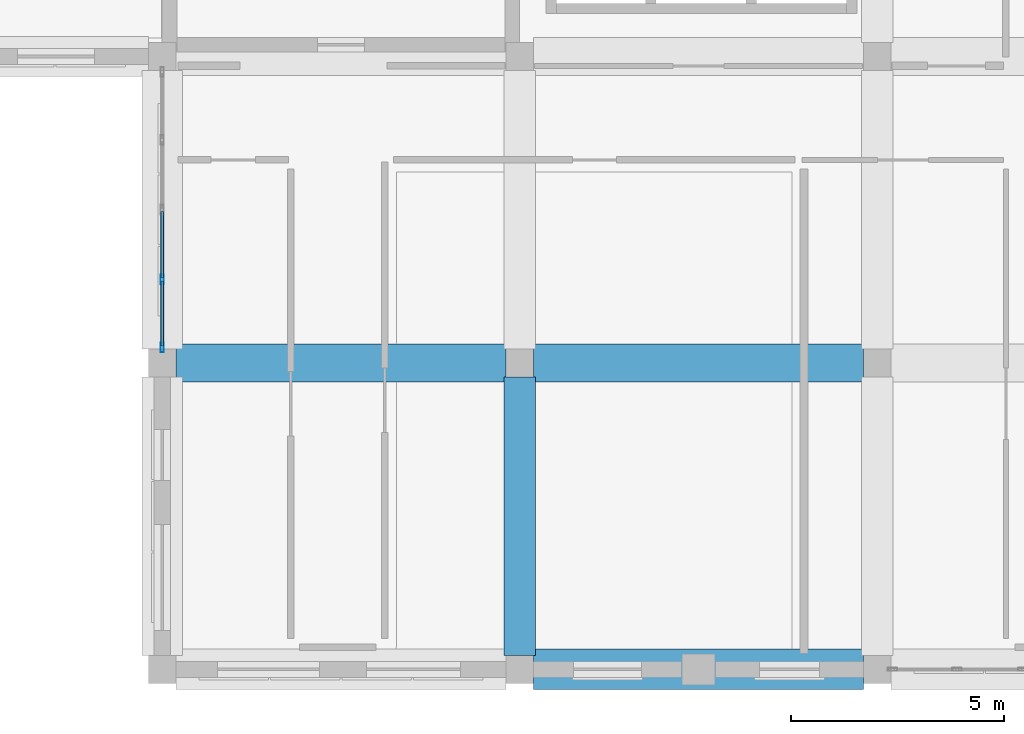
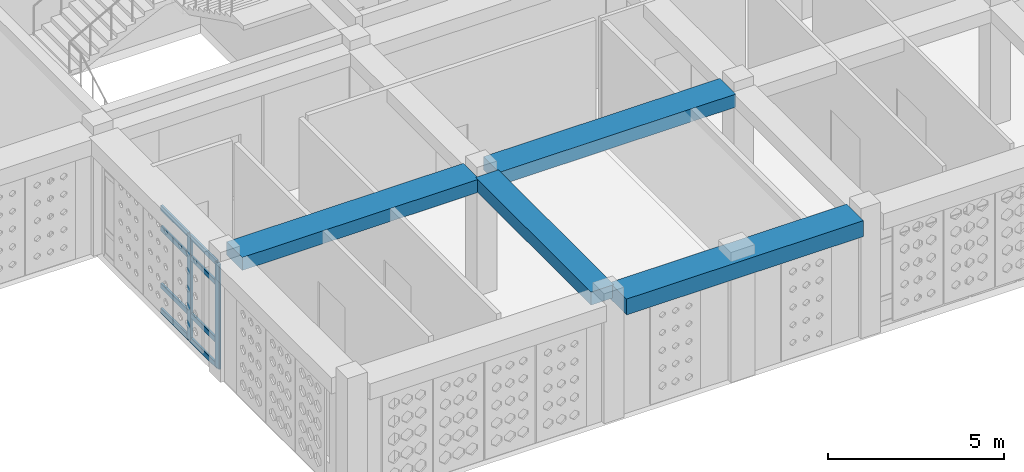
# One storey, part 2 of 79: 10 members, 4 beams, 1 element without a shape of its own.
"""IFC4 building model written with IfcOpenShell, lengths in metres."""

import ifcopenshell
import ifcopenshell.guid

model = None  # the IFC model being written
_history = None  # IfcOwnerHistory: only IFC2X3 demands one
_inside = {}  # id of a spatial element -> (the spatial element, [elements in it])
_under = {}  # id of a project, library or spatial element -> (it, [spatial elements below it])
_declared = {}  # id of a project -> (the project, [libraries it declares])
_typed = {}  # id of a type object -> (the type object, [elements of that type])
_made_of = {}  # id of a material, layer set ... -> (it, [elements and type objects made of it])


def new_model(schema):
    """Start an empty IFC model of exactly this schema.

    Asked for "IFC4X3", IfcOpenShell would pick the latest addendum, in which some entities
    have other attributes; the version numbers below select the first issue.
    IFC2X3 requires an IfcOwnerHistory on every rooted entity: one is made here for all.
    """
    global model, _history
    if schema == "IFC4X3":
        model = ifcopenshell.file(schema_version=(4, 3, 0, 0))
    else:
        model = ifcopenshell.file(schema=schema)
    _inside.clear()
    _under.clear()
    _declared.clear()
    _typed.clear()
    _made_of.clear()
    _history = None
    if model.schema == "IFC2X3":
        org = make("IfcOrganization", Name="unknown")
        user = make(
            "IfcPersonAndOrganization",
            ThePerson=make("IfcPerson", FamilyName="unknown"),
            TheOrganization=org,
        )
        app = make(
            "IfcApplication",
            ApplicationDeveloper=org,
            Version="unknown",
            ApplicationFullName="unknown",
            ApplicationIdentifier="unknown",
        )
        _history = make(
            "IfcOwnerHistory",
            OwningUser=user,
            OwningApplication=app,
            ChangeAction="ADDED",
            CreationDate=0,
        )
    return model


def make(cls, **values):
    """One entity of the class cls with the attributes given. An attribute that is None is left unset."""
    return model.create_entity(
        cls, **{name: value for name, value in values.items() if value is not None}
    )


def rooted(cls, **values):
    """An entity with a GlobalId (a new one), such as an element, a storey or a relation."""
    return make(cls, GlobalId=ifcopenshell.guid.new(), OwnerHistory=_history, **values)


def si_unit(unit_type, name, prefix=None):
    """IfcSIUnit, for example si_unit("LENGTHUNIT", "METRE", prefix="MILLI")."""
    return make("IfcSIUnit", UnitType=unit_type, Prefix=prefix, Name=name)


def derived_unit(unit_type, elements):
    """IfcDerivedUnit: a product of units, each with its exponent."""
    return make(
        "IfcDerivedUnit",
        Elements=[
            make("IfcDerivedUnitElement", Unit=unit, Exponent=power)
            for unit, power in elements
        ],
        UnitType=unit_type,
    )


def assignment(units):
    """IfcUnitAssignment: the units of a project."""
    return None if units is None else make("IfcUnitAssignment", Units=units)


def point(xyz):
    """IfcCartesianPoint."""
    return None if xyz is None else make("IfcCartesianPoint", Coordinates=xyz)


def direction(xyz):
    """IfcDirection."""
    return None if xyz is None else make("IfcDirection", DirectionRatios=xyz)


def frame(location, z_axis=None, x_axis=None):
    """IfcAxis2Placement3D, a coordinate frame: its origin and axes. An axis left out is left unset."""
    return make(
        "IfcAxis2Placement3D",
        Location=point(location),
        Axis=direction(z_axis),
        RefDirection=direction(x_axis),
    )


def frame_2d(location, x_axis=None):
    """IfcAxis2Placement2D, a coordinate frame in the plane: its origin and x axis."""
    return make(
        "IfcAxis2Placement2D", Location=point(location), RefDirection=direction(x_axis)
    )


def origin():
    """The frame at (0, 0, 0) with its axes left unset."""
    return frame((0.0, 0.0, 0.0))


def origin_2d():
    """The frame at (0, 0) in the plane with its x axis left unset."""
    return frame_2d((0.0, 0.0))


def place(relative_to, where):
    """IfcLocalPlacement: puts the frame where relative to a parent placement (None: the world)."""
    return make(
        "IfcLocalPlacement", PlacementRelTo=relative_to, RelativePlacement=where
    )


def context(
    kind, dimensions, precision=None, world=None, true_north=None, identifier=None
):
    """IfcGeometricRepresentationContext, for example the 3D "Model" context."""
    return make(
        "IfcGeometricRepresentationContext",
        ContextIdentifier=identifier,
        ContextType=kind,
        CoordinateSpaceDimension=dimensions,
        Precision=precision,
        WorldCoordinateSystem=world,
        TrueNorth=true_north,
    )


def subcontext(parent, identifier, kind, view, scale=None):
    """IfcGeometricRepresentationSubContext, for example "Body" below "Model"."""
    return make(
        "IfcGeometricRepresentationSubContext",
        ContextIdentifier=identifier,
        ContextType=kind,
        ParentContext=parent,
        TargetScale=scale,
        TargetView=view,
    )


def project(units=None, contexts=None):
    """IfcProject with its units and contexts."""
    return rooted(
        "IfcProject",
        Name="project",
        RepresentationContexts=contexts,
        UnitsInContext=assignment(units),
    )


def spatial(cls, under=None, at=None, **own):
    """A site, building, storey or space (cls), placed at a placement, below another one or the project."""
    s = rooted(cls, ObjectPlacement=at, **own)
    if under is not None:
        _under.setdefault(under.id(), (under, []))[1].append(s)
    return s


def profile(cls, at=None, kind="AREA", **sizes):
    """A parametric profile (cls). Its sizes go by their IFC names, for example OverallWidth=200.0."""
    return make(cls, ProfileType=kind, Position=at, **sizes)


def rectangle(**sizes):
    """IfcRectangleProfileDef."""
    return profile("IfcRectangleProfileDef", **sizes)


def hollow_rectangle(**sizes):
    """IfcRectangleHollowProfileDef."""
    return profile("IfcRectangleHollowProfileDef", **sizes)


def extrude(swept, where, along, depth):
    """IfcExtrudedAreaSolid: the profile swept, set in the frame where, extruded along a direction by depth."""
    return make(
        "IfcExtrudedAreaSolid",
        SweptArea=swept,
        Position=where,
        ExtrudedDirection=direction(along),
        Depth=depth,
    )


def shape(context_of_items, identifier, shape_type, items):
    """IfcShapeRepresentation: the items that make up one representation, for example the "Body"."""
    return make(
        "IfcShapeRepresentation",
        ContextOfItems=context_of_items,
        RepresentationIdentifier=identifier,
        RepresentationType=shape_type,
        Items=items,
    )


def material(Name=None, Category=None):
    """IfcMaterial."""
    return make("IfcMaterial", Name=Name, Category=Category)


def material_profile(
    of_material, cross_section, Name=None, Category=None, Priority=None
):
    """IfcMaterialProfile: a cross section and its material."""
    return make(
        "IfcMaterialProfile",
        Name=Name,
        Material=of_material,
        Profile=cross_section,
        Priority=Priority,
        Category=Category,
    )


def profile_set(profiles, Name=None, composite=None):
    """IfcMaterialProfileSet."""
    return make(
        "IfcMaterialProfileSet",
        Name=Name,
        MaterialProfiles=profiles,
        CompositeProfile=composite,
    )


def made_of(thing, what):
    """Note that an element or type object is made of a material, layer set ...; save() writes the relation."""
    if what is not None:
        _made_of.setdefault(what.id(), (what, []))[1].append(thing)
    return thing


def type_object(cls, material=None, **own):
    """A type object (cls), such as IfcWallType, which elements share."""
    return made_of(rooted(cls, **own), material)


def element(
    cls,
    number,
    at=None,
    inside=None,
    cuts=None,
    type_object=None,
    material=None,
    context=None,
    identifier="Body",
    shape_type=None,
    held_by="IfcProductDefinitionShape",
    body=None,
    shapes=None,
    **own,
):
    """One element of the class cls, such as IfcWall. Its Tag is "e" and its number.

    at: its placement. inside: the storey or other place that contains it. cuts: it is an
    opening in that element (IfcRelVoidsElement). A single representation is given by context,
    identifier, shape_type and body (its items); several are given by shapes. held_by: the class
    of the entity that holds the representations. save() writes the other relations.
    """
    e = rooted(cls, Tag="e%d" % number, ObjectPlacement=at, **own)
    if body is not None:
        shapes = [shape(context, identifier, shape_type, body)]
    if shapes is not None:
        e.Representation = make(held_by, Representations=shapes)
    if inside is not None:
        _inside.setdefault(inside.id(), (inside, []))[1].append(e)
    if cuts is not None:
        rooted(
            "IfcRelVoidsElement", RelatingBuildingElement=cuts, RelatedOpeningElement=e
        )
    if type_object is not None:
        _typed.setdefault(type_object.id(), (type_object, []))[1].append(e)
    return made_of(e, material)


def aggregate(whole, parts):
    """IfcRelAggregates: a whole, such as a stair, and the parts it consists of."""
    return rooted("IfcRelAggregates", RelatingObject=whole, RelatedObjects=parts)


def save(model, path):
    """Write the relations noted so far, then the file.

    IfcRelAggregates (storeys below a building ...), IfcRelContainedInSpatialStructure (elements
    in a storey), IfcRelDefinesByType, IfcRelAssociatesMaterial and IfcRelDeclares: one each for
    every whole, place, type object, material and project.
    """
    for whole, parts in _under.values():
        aggregate(whole, parts)
    for where, things in _inside.values():
        rooted(
            "IfcRelContainedInSpatialStructure",
            RelatedElements=things,
            RelatingStructure=where,
        )
    for kind, things in _typed.values():
        rooted("IfcRelDefinesByType", RelatedObjects=things, RelatingType=kind)
    for what, things in _made_of.values():
        rooted("IfcRelAssociatesMaterial", RelatedObjects=things, RelatingMaterial=what)
    for by, libraries in _declared.values():
        rooted("IfcRelDeclares", RelatingContext=by, RelatedDefinitions=libraries)
    model.write(path)


model = new_model("IFC4")

# Units and contexts
model_context = context("Model", 3, precision=1e-05, world=origin(), true_north=direction((0.0, 1.0)))
body_context = subcontext(model_context, "Body", "Model", "MODEL_VIEW")
ifc_project = project(units=[si_unit("LENGTHUNIT", "METRE"), si_unit("AREAUNIT", "SQUARE_METRE"), si_unit("VOLUMEUNIT", "CUBIC_METRE"), si_unit("PLANEANGLEUNIT", "RADIAN"), si_unit("MASSUNIT", "GRAM", prefix="KILO"), derived_unit("THERMALTRANSMITTANCEUNIT", [(si_unit("POWERUNIT", "WATT"), 1), (si_unit("LENGTHUNIT", "METRE"), -2), (si_unit("THERMODYNAMICTEMPERATUREUNIT", "KELVIN"), -1)])], contexts=[model_context])

# Site, building, storey
site_placement = place(None, origin())
site = spatial("IfcSite", under=ifc_project, at=site_placement, CompositionType="ELEMENT")
building_placement = place(site_placement, origin())
building = spatial("IfcBuilding", under=site, at=building_placement, Name="Veybourne Emporium", CompositionType="ELEMENT")
storey_placement = place(building_placement, frame((0.0, 0.0, 18.89990234375)))
storey = spatial("IfcBuildingStorey", under=building, at=storey_placement, Name="L04", CompositionType="ELEMENT", Elevation=18.89990234375)

# Curtain wall, members
ifc_material_1 = material(Name="Patinated Architectural Bronze", Category="bronze")
curtain_wall_type = type_object("IfcCurtainWallType", Name="CWSystem_CWS-26", PredefinedType="NOTDEFINED", material=ifc_material_1)
curtain_wall_placement = place(storey_placement, origin())
curtain_wall = element("IfcCurtainWall", 1, at=curtain_wall_placement, inside=storey, type_object=curtain_wall_type, Name="L04 bronze glazed curtain wall CWS-26 (012)", PredefinedType="NOTDEFINED")
ifc_material_profile_1 = material_profile(ifc_material_1, hollow_rectangle(XDim=0.074951171875, YDim=0.22998046875, WallThickness=0.0048828125, InnerFilletRadius=0.007568359375, OuterFilletRadius=0.012451171875, at=origin_2d()), Name="CWM 75x230x5")
ifc_profile_set_1 = profile_set([ifc_material_profile_1], Name="Patinated Architectural Bronze")
member_type_1 = type_object("IfcMemberType", Name="CWMullion_CW-M2", PredefinedType="MULLION", material=ifc_profile_set_1)
member_1_placement = place(storey_placement, frame((16.800048828125, 7.5625, 0.0), z_axis=(0.0, 0.0, 1.0), x_axis=(-1.0, 0.0, 0.0)))
member_1 = element("IfcMember", 2, at=member_1_placement, type_object=member_type_1, Name="CWS-26 mullion 1", PredefinedType="MULLION", context=body_context, shape_type="SweptSolid", body=[
    extrude(hollow_rectangle(XDim=0.074951171875, YDim=0.22998046875, WallThickness=0.0048828125, InnerFilletRadius=0.007568359375, OuterFilletRadius=0.012451171875, at=origin_2d()), origin(), (0.0, 0.0, 1.0), 3.630126953125),
])
member_2_placement = place(storey_placement, frame((16.800048828125, 9.16259765625, 0.0), z_axis=(0.0, 0.0, 1.0), x_axis=(-1.0, 0.0, 0.0)))
member_2 = element("IfcMember", 3, at=member_2_placement, type_object=member_type_1, Name="CWS-26 mullion 2", PredefinedType="MULLION", context=body_context, shape_type="SweptSolid", body=[
    extrude(hollow_rectangle(XDim=0.074951171875, YDim=0.22998046875, WallThickness=0.0048828125, InnerFilletRadius=0.007568359375, OuterFilletRadius=0.012451171875, at=origin_2d()), origin(), (0.0, 0.0, 1.0), 3.630126953125),
])
ifc_material_profile_2 = material_profile(ifc_material_1, hollow_rectangle(XDim=0.074951171875, YDim=0.179931640625, WallThickness=0.0048828125, InnerFilletRadius=0.007568359375, OuterFilletRadius=0.012451171875, at=origin_2d()), Name="CWT 75x180x5")
ifc_profile_set_2 = profile_set([ifc_material_profile_2], Name="Patinated Architectural Bronze")
member_type_2 = type_object("IfcMemberType", Name="CWTransom_CW-T2", PredefinedType="NOTDEFINED", material=ifc_profile_set_2)
member_3_placement = place(storey_placement, frame((16.800048828125, 7.60009765625, 0.03759765625), z_axis=(0.0, 1.0, 0.0), x_axis=(-1.0, 0.0, 0.0)))
member_3 = element("IfcMember", 4, at=member_3_placement, type_object=member_type_2, Name="CWS-26 transom 1.1", ObjectType="TRANSOM", PredefinedType="USERDEFINED", context=body_context, shape_type="SweptSolid", body=[
    extrude(hollow_rectangle(XDim=0.074951171875, YDim=0.179931640625, WallThickness=0.0048828125, InnerFilletRadius=0.007568359375, OuterFilletRadius=0.012451171875, at=origin_2d()), origin(), (0.0, 0.0, 1.0), 1.52490234375),
])
member_4_placement = place(storey_placement, frame((16.800048828125, 7.60009765625, 0.900146484375), z_axis=(0.0, 1.0, 0.0), x_axis=(-1.0, 0.0, 0.0)))
member_4 = element("IfcMember", 5, at=member_4_placement, type_object=member_type_2, Name="CWS-26 transom 1.2", ObjectType="TRANSOM", PredefinedType="USERDEFINED", context=body_context, shape_type="SweptSolid", body=[
    extrude(hollow_rectangle(XDim=0.074951171875, YDim=0.179931640625, WallThickness=0.0048828125, InnerFilletRadius=0.007568359375, OuterFilletRadius=0.012451171875, at=origin_2d()), origin(), (0.0, 0.0, 1.0), 1.52490234375),
])
member_5_placement = place(storey_placement, frame((16.800048828125, 7.60009765625, 2.880126953125), z_axis=(0.0, 1.0, 0.0), x_axis=(-1.0, 0.0, 0.0)))
member_5 = element("IfcMember", 6, at=member_5_placement, type_object=member_type_2, Name="CWS-26 transom 1.3", ObjectType="TRANSOM", PredefinedType="USERDEFINED", context=body_context, shape_type="SweptSolid", body=[
    extrude(hollow_rectangle(XDim=0.074951171875, YDim=0.179931640625, WallThickness=0.0048828125, InnerFilletRadius=0.007568359375, OuterFilletRadius=0.012451171875, at=origin_2d()), origin(), (0.0, 0.0, 1.0), 1.52490234375),
])
member_6_placement = place(storey_placement, frame((16.800048828125, 7.60009765625, 3.592529296875), z_axis=(0.0, 1.0, 0.0), x_axis=(-1.0, 0.0, 0.0)))
member_6 = element("IfcMember", 7, at=member_6_placement, type_object=member_type_2, Name="CWS-26 transom 1.4", ObjectType="TRANSOM", PredefinedType="USERDEFINED", context=body_context, shape_type="SweptSolid", body=[
    extrude(hollow_rectangle(XDim=0.074951171875, YDim=0.179931640625, WallThickness=0.0048828125, InnerFilletRadius=0.007568359375, OuterFilletRadius=0.012451171875, at=origin_2d()), origin(), (0.0, 0.0, 1.0), 1.52490234375),
])
member_7_placement = place(storey_placement, frame((16.800048828125, 9.199951171875, 0.03759765625), z_axis=(0.0, 1.0, 0.0), x_axis=(-1.0, 0.0, 0.0)))
member_7 = element("IfcMember", 8, at=member_7_placement, type_object=member_type_2, Name="CWS-26 transom 2.1", ObjectType="TRANSOM", PredefinedType="USERDEFINED", context=body_context, shape_type="SweptSolid", body=[
    extrude(hollow_rectangle(XDim=0.074951171875, YDim=0.179931640625, WallThickness=0.0048828125, InnerFilletRadius=0.007568359375, OuterFilletRadius=0.012451171875, at=origin_2d()), origin(), (0.0, 0.0, 1.0), 1.5625),
])
member_8_placement = place(storey_placement, frame((16.800048828125, 9.199951171875, 0.900146484375), z_axis=(0.0, 1.0, 0.0), x_axis=(-1.0, 0.0, 0.0)))
member_8 = element("IfcMember", 9, at=member_8_placement, type_object=member_type_2, Name="CWS-26 transom 2.2", ObjectType="TRANSOM", PredefinedType="USERDEFINED", context=body_context, shape_type="SweptSolid", body=[
    extrude(hollow_rectangle(XDim=0.074951171875, YDim=0.179931640625, WallThickness=0.0048828125, InnerFilletRadius=0.007568359375, OuterFilletRadius=0.012451171875, at=origin_2d()), origin(), (0.0, 0.0, 1.0), 1.5625),
])
member_9_placement = place(storey_placement, frame((16.800048828125, 9.199951171875, 2.880126953125), z_axis=(0.0, 1.0, 0.0), x_axis=(-1.0, 0.0, 0.0)))
member_9 = element("IfcMember", 10, at=member_9_placement, type_object=member_type_2, Name="CWS-26 transom 2.3", ObjectType="TRANSOM", PredefinedType="USERDEFINED", context=body_context, shape_type="SweptSolid", body=[
    extrude(hollow_rectangle(XDim=0.074951171875, YDim=0.179931640625, WallThickness=0.0048828125, InnerFilletRadius=0.007568359375, OuterFilletRadius=0.012451171875, at=origin_2d()), origin(), (0.0, 0.0, 1.0), 1.5625),
])
member_10_placement = place(storey_placement, frame((16.800048828125, 9.199951171875, 3.592529296875), z_axis=(0.0, 1.0, 0.0), x_axis=(-1.0, 0.0, 0.0)))
member_10 = element("IfcMember", 11, at=member_10_placement, type_object=member_type_2, Name="CWS-26 transom 2.4", ObjectType="TRANSOM", PredefinedType="USERDEFINED", context=body_context, shape_type="SweptSolid", body=[
    extrude(hollow_rectangle(XDim=0.074951171875, YDim=0.179931640625, WallThickness=0.0048828125, InnerFilletRadius=0.007568359375, OuterFilletRadius=0.012451171875, at=origin_2d()), origin(), (0.0, 0.0, 1.0), 1.5625),
])
aggregate(curtain_wall, [member_1, member_2, member_3, member_4, member_5, member_6, member_7, member_8, member_9, member_10])

# Beams
ifc_material_2 = material(Name="Concrete C32/40", Category="concrete")
ifc_material_profile_3 = material_profile(ifc_material_2, rectangle(XDim=0.89990234375, YDim=0.449951171875, at=origin_2d()), Name="RC 900x450")
ifc_profile_set_3 = profile_set([ifc_material_profile_3], Name="Concrete C32/40")
beam_type_1 = type_object("IfcBeamType", Name="RCBeam_BB-03", PredefinedType="BEAM", material=ifc_profile_set_3)
for number, where, z_axis, x_axis, name in (
    (12, (17.125, 7.199951171875, 3.955078125), (1.0, 0.0, 0.0), (0.0, 1.0, 0.0), "L04 X-grid beam BB-03 (2,1)"),
    (13, (25.52490234375, 7.199951171875, 3.955078125), (1.0, 0.0, 0.0), (0.0, 1.0, 0.0), "L04 X-grid beam BB-03 (3,1)"),
):
    element("IfcBeam", number, at=place(storey_placement, frame(where, z_axis=z_axis, x_axis=x_axis)), inside=storey, type_object=beam_type_1, Name=name, PredefinedType="BEAM", context=body_context, shape_type="SweptSolid", body=[
        extrude(rectangle(XDim=0.89990234375, YDim=0.449951171875, at=origin_2d()), origin(), (0.0, 0.0, 1.0), 7.75),
    ])
ifc_material_profile_4 = material_profile(ifc_material_2, rectangle(XDim=0.75, YDim=0.449951171875, at=origin_2d()), Name="RC 750x450")
ifc_profile_set_4 = profile_set([ifc_material_profile_4], Name="Concrete C32/40")
beam_type_2 = type_object("IfcBeamType", Name="RCBeam_BB-04", PredefinedType="BEAM", material=ifc_profile_set_4)
beam_1_placement = place(storey_placement, frame((25.199951171875, 0.324951171875, 3.955078125), z_axis=(0.0, 1.0, 0.0), x_axis=(-1.0, 0.0, 0.0)))
element("IfcBeam", 14, at=beam_1_placement, inside=storey, type_object=beam_type_2, Name="L04 Y-grid beam BB-04 (3,0)", PredefinedType="BEAM", context=body_context, shape_type="SweptSolid", body=[
    extrude(rectangle(XDim=0.75, YDim=0.449951171875, at=origin_2d()), origin(), (0.0, 0.0, 1.0), 6.550048828125),
])
ifc_material_profile_5 = material_profile(ifc_material_2, rectangle(XDim=0.949951171875, YDim=0.550048828125, at=origin_2d()), Name="RC 950x550")
ifc_profile_set_5 = profile_set([ifc_material_profile_5], Name="Concrete C32/40")
beam_type_3 = type_object("IfcBeamType", Name="RCBeam_EB-01", PredefinedType="SPANDREL", material=ifc_profile_set_5)
beam_2_placement = place(storey_placement, frame((25.52490234375, 0.0, 3.905029296875), z_axis=(1.0, 0.0, 0.0), x_axis=(0.0, 1.0, 0.0)))
element("IfcBeam", 15, at=beam_2_placement, inside=storey, type_object=beam_type_3, Name="L04 X-grid beam EB-01 (3,0)", PredefinedType="SPANDREL", context=body_context, shape_type="SweptSolid", body=[
    extrude(rectangle(XDim=0.949951171875, YDim=0.550048828125, at=origin_2d()), origin(), (0.0, 0.0, 1.0), 7.75),
])

save(model, "model.ifc")
